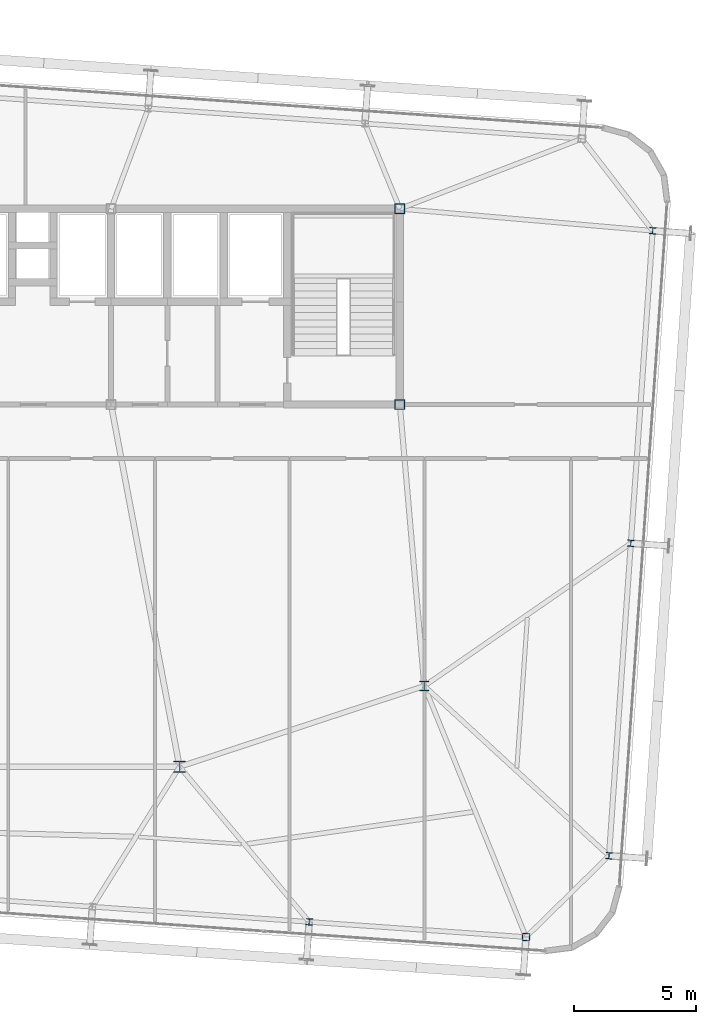
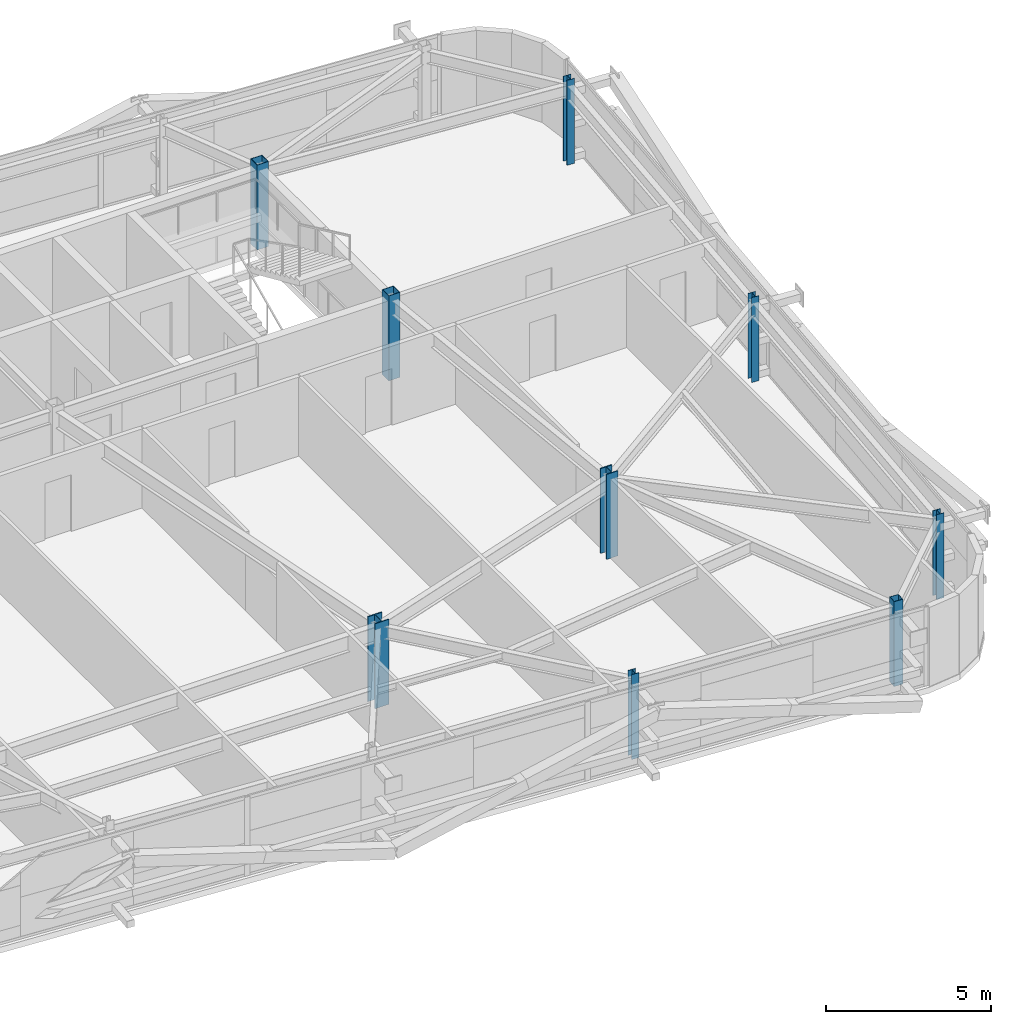
# One storey, part 3 of 39: 9 columns.
"""IFC4 building model written with IfcOpenShell, lengths in metres."""

import ifcopenshell
import ifcopenshell.guid

model = None  # the IFC model being written
_history = None  # IfcOwnerHistory: only IFC2X3 demands one
_inside = {}  # id of a spatial element -> (the spatial element, [elements in it])
_under = {}  # id of a project, library or spatial element -> (it, [spatial elements below it])
_declared = {}  # id of a project -> (the project, [libraries it declares])
_typed = {}  # id of a type object -> (the type object, [elements of that type])
_made_of = {}  # id of a material, layer set ... -> (it, [elements and type objects made of it])


def new_model(schema):
    """Start an empty IFC model of exactly this schema.

    Asked for "IFC4X3", IfcOpenShell would pick the latest addendum, in which some entities
    have other attributes; the version numbers below select the first issue.
    IFC2X3 requires an IfcOwnerHistory on every rooted entity: one is made here for all.
    """
    global model, _history
    if schema == "IFC4X3":
        model = ifcopenshell.file(schema_version=(4, 3, 0, 0))
    else:
        model = ifcopenshell.file(schema=schema)
    _inside.clear()
    _under.clear()
    _declared.clear()
    _typed.clear()
    _made_of.clear()
    _history = None
    if model.schema == "IFC2X3":
        org = make("IfcOrganization", Name="unknown")
        user = make(
            "IfcPersonAndOrganization",
            ThePerson=make("IfcPerson", FamilyName="unknown"),
            TheOrganization=org,
        )
        app = make(
            "IfcApplication",
            ApplicationDeveloper=org,
            Version="unknown",
            ApplicationFullName="unknown",
            ApplicationIdentifier="unknown",
        )
        _history = make(
            "IfcOwnerHistory",
            OwningUser=user,
            OwningApplication=app,
            ChangeAction="ADDED",
            CreationDate=0,
        )
    return model


def make(cls, **values):
    """One entity of the class cls with the attributes given. An attribute that is None is left unset."""
    return model.create_entity(
        cls, **{name: value for name, value in values.items() if value is not None}
    )


def rooted(cls, **values):
    """An entity with a GlobalId (a new one), such as an element, a storey or a relation."""
    return make(cls, GlobalId=ifcopenshell.guid.new(), OwnerHistory=_history, **values)


def si_unit(unit_type, name, prefix=None):
    """IfcSIUnit, for example si_unit("LENGTHUNIT", "METRE", prefix="MILLI")."""
    return make("IfcSIUnit", UnitType=unit_type, Prefix=prefix, Name=name)


def assignment(units):
    """IfcUnitAssignment: the units of a project."""
    return None if units is None else make("IfcUnitAssignment", Units=units)


def point(xyz):
    """IfcCartesianPoint."""
    return None if xyz is None else make("IfcCartesianPoint", Coordinates=xyz)


def direction(xyz):
    """IfcDirection."""
    return None if xyz is None else make("IfcDirection", DirectionRatios=xyz)


def frame(location, z_axis=None, x_axis=None):
    """IfcAxis2Placement3D, a coordinate frame: its origin and axes. An axis left out is left unset."""
    return make(
        "IfcAxis2Placement3D",
        Location=point(location),
        Axis=direction(z_axis),
        RefDirection=direction(x_axis),
    )


def frame_2d(location, x_axis=None):
    """IfcAxis2Placement2D, a coordinate frame in the plane: its origin and x axis."""
    return make(
        "IfcAxis2Placement2D", Location=point(location), RefDirection=direction(x_axis)
    )


def origin():
    """The frame at (0, 0, 0) with its axes left unset."""
    return frame((0.0, 0.0, 0.0))


def origin_2d():
    """The frame at (0, 0) in the plane with its x axis left unset."""
    return frame_2d((0.0, 0.0))


def place(relative_to, where):
    """IfcLocalPlacement: puts the frame where relative to a parent placement (None: the world)."""
    return make(
        "IfcLocalPlacement", PlacementRelTo=relative_to, RelativePlacement=where
    )


def context(
    kind, dimensions, precision=None, world=None, true_north=None, identifier=None
):
    """IfcGeometricRepresentationContext, for example the 3D "Model" context."""
    return make(
        "IfcGeometricRepresentationContext",
        ContextIdentifier=identifier,
        ContextType=kind,
        CoordinateSpaceDimension=dimensions,
        Precision=precision,
        WorldCoordinateSystem=world,
        TrueNorth=true_north,
    )


def subcontext(parent, identifier, kind, view, scale=None):
    """IfcGeometricRepresentationSubContext, for example "Body" below "Model"."""
    return make(
        "IfcGeometricRepresentationSubContext",
        ContextIdentifier=identifier,
        ContextType=kind,
        ParentContext=parent,
        TargetScale=scale,
        TargetView=view,
    )


def project(units=None, contexts=None):
    """IfcProject with its units and contexts."""
    return rooted(
        "IfcProject",
        Name="project",
        RepresentationContexts=contexts,
        UnitsInContext=assignment(units),
    )


def spatial(cls, under=None, at=None, **own):
    """A site, building, storey or space (cls), placed at a placement, below another one or the project."""
    s = rooted(cls, ObjectPlacement=at, **own)
    if under is not None:
        _under.setdefault(under.id(), (under, []))[1].append(s)
    return s


def profile(cls, at=None, kind="AREA", **sizes):
    """A parametric profile (cls). Its sizes go by their IFC names, for example OverallWidth=200.0."""
    return make(cls, ProfileType=kind, Position=at, **sizes)


def hollow_rectangle(**sizes):
    """IfcRectangleHollowProfileDef."""
    return profile("IfcRectangleHollowProfileDef", **sizes)


def i_section(**sizes):
    """IfcIShapeProfileDef."""
    return profile("IfcIShapeProfileDef", **sizes)


def extrude(swept, where, along, depth):
    """IfcExtrudedAreaSolid: the profile swept, set in the frame where, extruded along a direction by depth."""
    return make(
        "IfcExtrudedAreaSolid",
        SweptArea=swept,
        Position=where,
        ExtrudedDirection=direction(along),
        Depth=depth,
    )


def shape(context_of_items, identifier, shape_type, items):
    """IfcShapeRepresentation: the items that make up one representation, for example the "Body"."""
    return make(
        "IfcShapeRepresentation",
        ContextOfItems=context_of_items,
        RepresentationIdentifier=identifier,
        RepresentationType=shape_type,
        Items=items,
    )


def source(mapping_origin, context_of_items, identifier, shape_type, items):
    """IfcRepresentationMap: a shape defined once, which mapped items show again and again."""
    return make(
        "IfcRepresentationMap",
        MappingOrigin=mapping_origin,
        MappedRepresentation=shape(context_of_items, identifier, shape_type, items),
    )


def transform(
    local_origin,
    x_axis=None,
    y_axis=None,
    z_axis=None,
    scale=None,
    scale2=None,
    scale3=None,
    uniform=True,
):
    """IfcCartesianTransformationOperator3D, or its non-uniform kind. x_axis, y_axis, z_axis: its Axis1, 2, 3."""
    if uniform:
        return make(
            "IfcCartesianTransformationOperator3D",
            Axis1=direction(x_axis),
            Axis2=direction(y_axis),
            LocalOrigin=point(local_origin),
            Scale=scale,
            Axis3=direction(z_axis),
        )
    return make(
        "IfcCartesianTransformationOperator3DnonUniform",
        Axis1=direction(x_axis),
        Axis2=direction(y_axis),
        LocalOrigin=point(local_origin),
        Scale=scale,
        Axis3=direction(z_axis),
        Scale2=scale2,
        Scale3=scale3,
    )


def mapped(mapping_source, mapping_target):
    """IfcMappedItem: shows the shape of a source again, moved by a transform."""
    return make(
        "IfcMappedItem", MappingSource=mapping_source, MappingTarget=mapping_target
    )


def material(Name=None, Category=None):
    """IfcMaterial."""
    return make("IfcMaterial", Name=Name, Category=Category)


def material_profile(
    of_material, cross_section, Name=None, Category=None, Priority=None
):
    """IfcMaterialProfile: a cross section and its material."""
    return make(
        "IfcMaterialProfile",
        Name=Name,
        Material=of_material,
        Profile=cross_section,
        Priority=Priority,
        Category=Category,
    )


def profile_set(profiles, Name=None, composite=None):
    """IfcMaterialProfileSet."""
    return make(
        "IfcMaterialProfileSet",
        Name=Name,
        MaterialProfiles=profiles,
        CompositeProfile=composite,
    )


def made_of(thing, what):
    """Note that an element or type object is made of a material, layer set ...; save() writes the relation."""
    if what is not None:
        _made_of.setdefault(what.id(), (what, []))[1].append(thing)
    return thing


def type_object(cls, material=None, **own):
    """A type object (cls), such as IfcWallType, which elements share."""
    return made_of(rooted(cls, **own), material)


def element(
    cls,
    number,
    at=None,
    inside=None,
    cuts=None,
    type_object=None,
    material=None,
    context=None,
    identifier="Body",
    shape_type=None,
    held_by="IfcProductDefinitionShape",
    body=None,
    shapes=None,
    **own,
):
    """One element of the class cls, such as IfcWall. Its Tag is "e" and its number.

    at: its placement. inside: the storey or other place that contains it. cuts: it is an
    opening in that element (IfcRelVoidsElement). A single representation is given by context,
    identifier, shape_type and body (its items); several are given by shapes. held_by: the class
    of the entity that holds the representations. save() writes the other relations.
    """
    e = rooted(cls, Tag="e%d" % number, ObjectPlacement=at, **own)
    if body is not None:
        shapes = [shape(context, identifier, shape_type, body)]
    if shapes is not None:
        e.Representation = make(held_by, Representations=shapes)
    if inside is not None:
        _inside.setdefault(inside.id(), (inside, []))[1].append(e)
    if cuts is not None:
        rooted(
            "IfcRelVoidsElement", RelatingBuildingElement=cuts, RelatedOpeningElement=e
        )
    if type_object is not None:
        _typed.setdefault(type_object.id(), (type_object, []))[1].append(e)
    return made_of(e, material)


def aggregate(whole, parts):
    """IfcRelAggregates: a whole, such as a stair, and the parts it consists of."""
    return rooted("IfcRelAggregates", RelatingObject=whole, RelatedObjects=parts)


def save(model, path):
    """Write the relations noted so far, then the file.

    IfcRelAggregates (storeys below a building ...), IfcRelContainedInSpatialStructure (elements
    in a storey), IfcRelDefinesByType, IfcRelAssociatesMaterial and IfcRelDeclares: one each for
    every whole, place, type object, material and project.
    """
    for whole, parts in _under.values():
        aggregate(whole, parts)
    for where, things in _inside.values():
        rooted(
            "IfcRelContainedInSpatialStructure",
            RelatedElements=things,
            RelatingStructure=where,
        )
    for kind, things in _typed.values():
        rooted("IfcRelDefinesByType", RelatedObjects=things, RelatingType=kind)
    for what, things in _made_of.values():
        rooted("IfcRelAssociatesMaterial", RelatedObjects=things, RelatingMaterial=what)
    for by, libraries in _declared.values():
        rooted("IfcRelDeclares", RelatingContext=by, RelatedDefinitions=libraries)
    model.write(path)


model = new_model("IFC4")

# Units and contexts
model_context = context("Model", 3, precision=1e-05, world=origin(), true_north=direction((0.0, 1.0)))
body_context = subcontext(model_context, "Body", "Model", "MODEL_VIEW")
ifc_project = project(units=[si_unit("LENGTHUNIT", "METRE"), si_unit("AREAUNIT", "SQUARE_METRE"), si_unit("VOLUMEUNIT", "CUBIC_METRE"), si_unit("PLANEANGLEUNIT", "RADIAN"), si_unit("MASSUNIT", "GRAM", prefix="KILO")], contexts=[model_context])

# Site, building, storey
site_placement = place(None, origin())
site = spatial("IfcSite", under=ifc_project, at=site_placement, CompositionType="ELEMENT")
building_placement = place(site_placement, origin())
building = spatial("IfcBuilding", under=site, at=building_placement, Name="Taldren Reach Tower", CompositionType="ELEMENT")
storey_placement = place(building_placement, frame((0.0, 0.0, 123.550048828125)))
storey = spatial("IfcBuildingStorey", under=building, at=storey_placement, Name="L37", CompositionType="ELEMENT", Elevation=123.550048828125)

# Columns
ifc_material_1 = material(Name="Steel Gr 350 (350PLUS)", Category="steel")
ifc_material_profile_1 = material_profile(ifc_material_1, i_section(OverallWidth=0.39990234375, OverallDepth=0.39599609375, WebThickness=0.02197265625, FlangeThickness=0.033935546875, at=origin_2d()), Name="400WC270")
ifc_profile_set_1 = profile_set([ifc_material_profile_1], Name="Steel Gr 350 (350PLUS)")
column_type_1 = type_object("IfcColumnType", Name="COL-WC400", PredefinedType="COLUMN", material=ifc_profile_set_1)
shared_shape_1 = source(origin(), body_context, "Body", "SweptSolid", [
    extrude(i_section(OverallWidth=0.39990234375, OverallDepth=0.39599609375, WebThickness=0.02197265625, FlangeThickness=0.033935546875, at=origin_2d()), origin(), (0.0, 0.0, 1.0), 3.14990234375),
])
column_1_placement = place(storey_placement, frame((52.0, 12.5, 0.0), z_axis=(0.0, 0.0, 1.0), x_axis=(1.0, 0.0, 0.0)))
element("IfcColumn", 1, at=column_1_placement, inside=storey, type_object=column_type_1, Name="Mega column MC-SE L37", PredefinedType="COLUMN", context=body_context, shape_type="MappedRepresentation", body=[
    mapped(shared_shape_1, transform((0.0, 0.0, 0.0), scale=1.0)),
])
ifc_material_profile_2 = material_profile(ifc_material_1, i_section(OverallWidth=0.5, OverallDepth=0.464111328125, WebThickness=0.02197265625, FlangeThickness=0.033935546875, at=origin_2d()), Name="500WC340")
ifc_profile_set_2 = profile_set([ifc_material_profile_2], Name="Steel Gr 350 (350PLUS)")
column_type_2 = type_object("IfcColumnType", Name="COL-WC500B", PredefinedType="COLUMN", material=ifc_profile_set_2)
shared_shape_2 = source(origin(), body_context, "Body", "SweptSolid", [
    extrude(i_section(OverallWidth=0.5, OverallDepth=0.464111328125, WebThickness=0.02197265625, FlangeThickness=0.033935546875, at=origin_2d()), origin(), (0.0, 0.0, 1.0), 3.14990234375),
])
column_2_placement = place(storey_placement, frame((42.0, 9.199951171875, 0.0), z_axis=(0.0, 0.0, 1.0), x_axis=(1.0, 0.0, 0.0)))
element("IfcColumn", 2, at=column_2_placement, inside=storey, type_object=column_type_2, Name="Mega column MC-PJE L37", PredefinedType="COLUMN", context=body_context, shape_type="MappedRepresentation", body=[
    mapped(shared_shape_2, transform((0.0, 0.0, 0.0), scale=1.0)),
])
ifc_material_2 = material(Name="Steel Gr 450 (C450L0)", Category="steel")
ifc_material_profile_3 = material_profile(ifc_material_2, hollow_rectangle(XDim=0.39990234375, YDim=0.39990234375, WallThickness=0.01611328125, at=origin_2d()), Name="400x400x16.0SHS")
ifc_profile_set_3 = profile_set([ifc_material_profile_3], Name="Steel Gr 450 (C450L0)")
column_type_3 = type_object("IfcColumnType", Name="COL-SHS400", PredefinedType="COLUMN", material=ifc_profile_set_3)
shared_shape_3 = source(origin(), body_context, "Body", "SweptSolid", [
    extrude(hollow_rectangle(XDim=0.39990234375, YDim=0.39990234375, WallThickness=0.01611328125, at=origin_2d()), origin(), (0.0, 0.0, 1.0), 3.14990234375),
])
for number, where, z_axis, x_axis, name in (
    (3, (51.0, 24.0, 0.0), (0.0, 0.0, 1.0), (1.0, 0.0, 0.0), "Mega column MC-C4 L37"),
    (4, (51.0, 32.0, 0.0), (0.0, 0.0, 1.0), (1.0, 0.0, 0.0), "Mega column MC-C8 L37"),
):
    element("IfcColumn", number, at=place(storey_placement, frame(where, z_axis=z_axis, x_axis=x_axis)), inside=storey, type_object=column_type_3, Name=name, PredefinedType="COLUMN", context=body_context, shape_type="MappedRepresentation", body=[
        mapped(shared_shape_3, transform((0.0, 0.0, 0.0), scale=1.0)),
    ])
ifc_material_profile_4 = material_profile(ifc_material_2, hollow_rectangle(XDim=0.300048828125, YDim=0.300048828125, WallThickness=0.012451171875, at=origin_2d()), Name="300x300x12.5SHS")
ifc_profile_set_4 = profile_set([ifc_material_profile_4], Name="Steel Gr 450 (C450L0)")
column_type_4 = type_object("IfcColumnType", Name="COL-SHS300", PredefinedType="COLUMN", material=ifc_profile_set_4)
shared_shape_4 = source(origin(), body_context, "Body", "SweptSolid", [
    extrude(hollow_rectangle(XDim=0.300048828125, YDim=0.300048828125, WallThickness=0.012451171875, at=origin_2d()), origin(), (0.0, 0.0, 1.0), 3.14990234375),
])
column_3_placement = place(storey_placement, frame((56.155517578125, 2.2412109375, 0.0), z_axis=(0.0, 0.0, 1.0), x_axis=(0.99756405026, -0.069756473744, 0.0)))
element("IfcColumn", 5, at=column_3_placement, inside=storey, type_object=column_type_4, Name="Block B3 perimeter column S6 L37", PredefinedType="COLUMN", context=body_context, shape_type="MappedRepresentation", body=[
    mapped(shared_shape_4, transform((0.0, 0.0, 0.0), scale=1.0)),
])
ifc_material_profile_5 = material_profile(ifc_material_1, i_section(OverallWidth=0.256103515625, OverallDepth=0.260009765625, WebThickness=0.010498046875, FlangeThickness=0.017333984375, at=origin_2d()), Name="250UC89.5")
ifc_profile_set_5 = profile_set([ifc_material_profile_5], Name="Steel Gr 350 (350PLUS)")
column_type_5 = type_object("IfcColumnType", Name="COL-UC250", PredefinedType="COLUMN", material=ifc_profile_set_5)
shared_shape_5 = source(origin(), body_context, "Body", "SweptSolid", [
    extrude(i_section(OverallWidth=0.256103515625, OverallDepth=0.260009765625, WebThickness=0.010498046875, FlangeThickness=0.017333984375, at=origin_2d()), origin(), (0.0, 0.0, 1.0), 3.14990234375),
])
for number, where, z_axis, x_axis, name in (
    (6, (47.297119140625, 2.860595703125, 0.0), (0.0, 0.0, 1.0), (0.99756405026, -0.069756473744, 0.0), "Block B3 perimeter column S5 L37"),
    (7, (59.54541015625, 5.562744140625, 0.0), (0.0, 0.0, 1.0), (0.99756405026, -0.069756473744, 0.0), "Block B3 perimeter column E1 L37"),
    (8, (60.438232421875, 18.331787109375, 0.0), (0.0, 0.0, 1.0), (0.99756405026, -0.069756473744, 0.0), "Block B3 perimeter column E2 L37"),
    (9, (61.3310546875, 31.1005859375, 0.0), (0.0, 0.0, 1.0), (0.99756405026, -0.069756473744, 0.0), "Block B3 perimeter column E3 L37"),
):
    element("IfcColumn", number, at=place(storey_placement, frame(where, z_axis=z_axis, x_axis=x_axis)), inside=storey, type_object=column_type_5, Name=name, PredefinedType="COLUMN", context=body_context, shape_type="MappedRepresentation", body=[
        mapped(shared_shape_5, transform((0.0, 0.0, 0.0), scale=1.0)),
    ])

save(model, "model.ifc")
